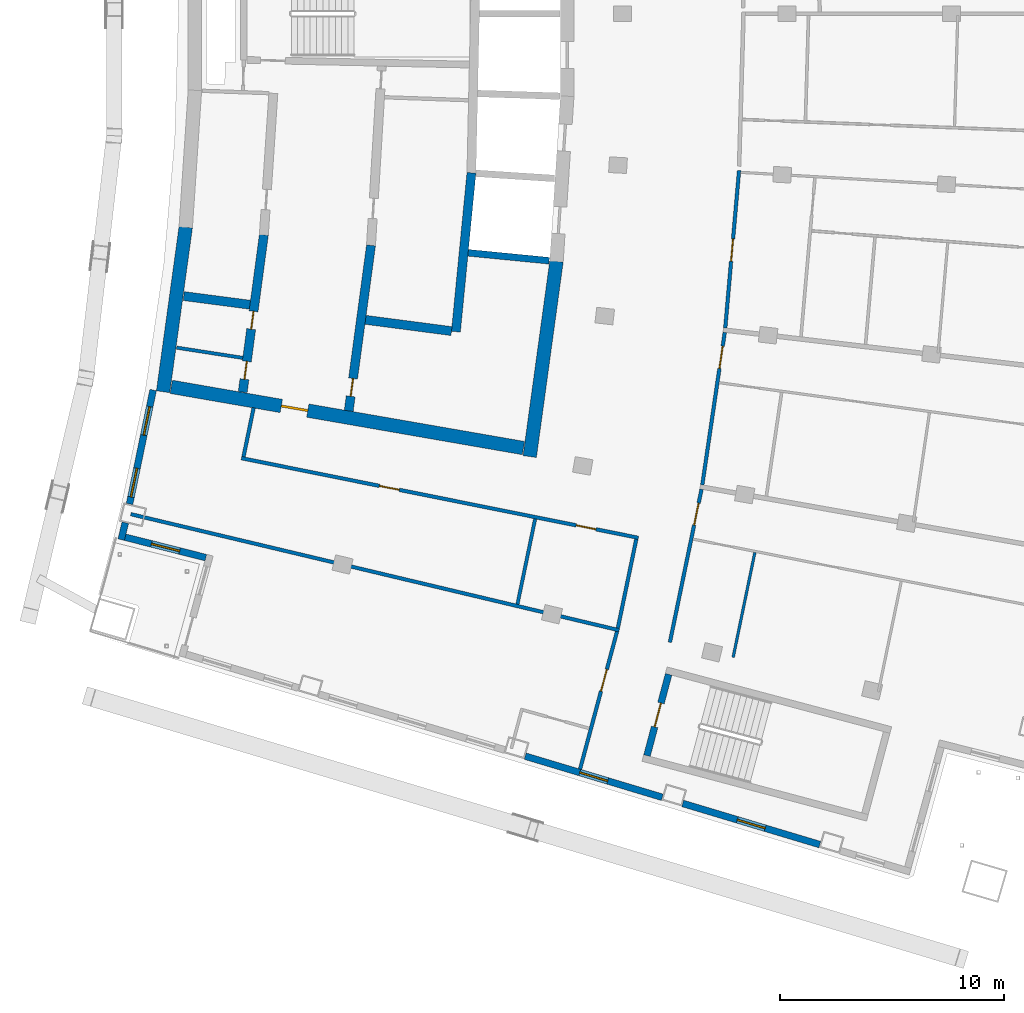
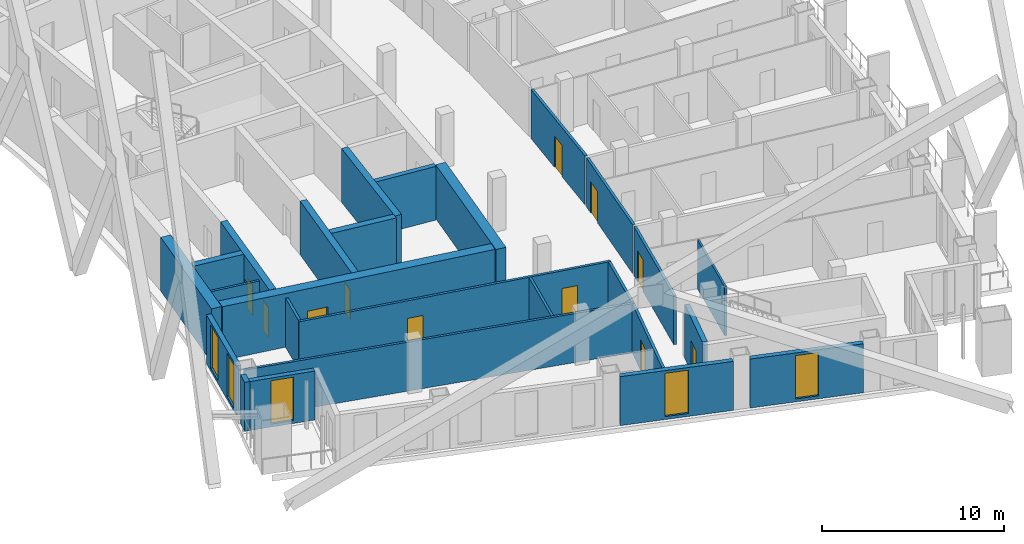
# One storey, part 10 of 20: 26 walls, 11 doors, 5 windows, 16 openings.
"""IFC4 building model written with IfcOpenShell, lengths in metres."""

from ifc_helpers import new_model, si_unit, direction, frame, frame_2d, origin, place, context, subcontext, project, spatial, rectangle, extrude, material, layer, layer_set, type_object, element, fill, save


model = new_model("IFC4")

# Units and contexts
model_context = context("Model", 3, precision=1e-05, world=origin(), true_north=direction((0.0, 1.0)))
body_context = subcontext(model_context, "Body", "Model", "MODEL_VIEW")
ifc_project = project(units=[si_unit("LENGTHUNIT", "METRE"), si_unit("AREAUNIT", "SQUARE_METRE"), si_unit("VOLUMEUNIT", "CUBIC_METRE"), si_unit("PLANEANGLEUNIT", "RADIAN"), si_unit("MASSUNIT", "GRAM", prefix="KILO")], contexts=[model_context])

# Site, building, storey
site_placement = place(None, origin())
site = spatial("IfcSite", under=ifc_project, at=site_placement, CompositionType="ELEMENT")
building_placement = place(site_placement, origin())
building = spatial("IfcBuilding", under=site, at=building_placement, Name="Alderwake Tower", CompositionType="ELEMENT")
storey_placement = place(building_placement, frame((0.0, 0.0, 210.800048828125)))
storey = spatial("IfcBuildingStorey", under=building, at=storey_placement, Name="L52", CompositionType="ELEMENT", Elevation=210.800048828125)

# Walls
ifc_material_1 = material(Name="Gypsum shaft wall system, rated")
ifc_layer_1 = layer(ifc_material_1, 0.14990234375)
ifc_layer_set_1 = layer_set([ifc_layer_1], Name="Core room partition 150")
wall_type_1 = type_object("IfcWallType", Name="Core room partition 150", PredefinedType="PARTITIONING", material=ifc_layer_set_1)
wall_1_placement = place(storey_placement, frame((15.92529296875, 46.11328125, 0.0), z_axis=(0.0, 0.0, 1.0), x_axis=(0.988179886452, -0.153298767153, 0.0)))
element("IfcWall", 1, at=wall_1_placement, inside=storey, type_object=wall_type_1, Name="CW/L52/PR-161_+0", PredefinedType="PARTITIONING", context=body_context, shape_type="SweptSolid", body=[
    extrude(rectangle(XDim=2.984375, YDim=0.14990234375, at=frame_2d((1.4921875, 0.0))), origin(), (0.0, 0.0, 1.0), 3.280029296875),
])
ifc_material_2 = material(Name="Concrete C70/85", Category="concrete")
ifc_layer_2 = layer(ifc_material_2, 0.60009765625)
ifc_layer_set_2 = layer_set([ifc_layer_2], Name="Core wall outer 600 C70-85")
wall_type_2 = type_object("IfcWallType", Name="Core wall outer 600 C70-85", PredefinedType="SHEAR", material=ifc_layer_set_2)
wall_2_placement = place(storey_placement, frame((15.321533203125, 44.146240234375, 0.0), z_axis=(0.0, 0.0, 1.0), x_axis=(0.136316498814, 0.990665338119, 0.0)))
element("IfcWall", 2, at=wall_2_placement, inside=storey, type_object=wall_type_2, Name="Core wall CW.037", PredefinedType="SHEAR", context=body_context, shape_type="SweptSolid", body=[
    extrude(rectangle(XDim=7.41455078125, YDim=0.60009765625, at=frame_2d((3.707275390625, 0.0))), origin(), (0.0, 0.0, 1.0), 3.599853515625),
])
wall_3_placement = place(storey_placement, frame((31.66796875, 41.256103515625, 0.0), z_axis=(0.0, 0.0, 1.0), x_axis=(0.135856583698, 0.990728514108, 0.0)))
element("IfcWall", 3, at=wall_3_placement, inside=storey, type_object=wall_type_2, Name="Core wall CW.017", PredefinedType="SHEAR", context=body_context, shape_type="SweptSolid", body=[
    extrude(rectangle(XDim=8.79296875, YDim=0.60009765625, at=frame_2d((4.396484375, 0.0))), origin(), (0.0, 0.0, 1.0), 3.599853515625),
])

# Wall, opening, door
wall_4_placement = place(storey_placement, frame((31.386962890625, 41.63525390625, 0.0), z_axis=(0.0, 0.0, 1.0), x_axis=(-0.985223108003, 0.171275881127, 0.0)))
wall_4 = element("IfcWall", 4, at=wall_4_placement, inside=storey, type_object=wall_type_2, Name="Core wall CW.072", PredefinedType="SHEAR", context=body_context, shape_type="SweptSolid", body=[
    extrude(rectangle(XDim=15.937744140625, YDim=0.60009765625, at=frame_2d((7.96875, 0.0))), origin(), (0.0, 0.0, 1.0), 3.599853515625),
])
opening_1_placement = place(wall_4_placement, frame((9.757568359375, 0.0, 0.0)))
opening_1 = element("IfcOpeningElement", 5, at=opening_1_placement, cuts=wall_4, Name="Opening C003", PredefinedType="OPENING", context=body_context, shape_type="SweptSolid", body=[
    extrude(rectangle(XDim=1.199951171875, YDim=2.10009765625, at=frame_2d((0.60009765625, 1.050048828125))), frame((0.0, 0.31005859375, 0.0), z_axis=(0.0, -1.0, 0.0), x_axis=(1.0, 0.0, 0.0)), (0.0, 0.0, 1.0), 0.6201171875),
])
ifc_material_3 = material(Name="Steel-framed fire door leaf", Category="steel")
door_type_1 = type_object("IfcDoorType", Name="Core lobby exit door 1200 fire-rated", OperationType="SINGLE_SWING_LEFT", PredefinedType="DOOR", material=ifc_material_3)
door_1_placement = place(opening_1_placement, origin())
door_1 = element("IfcDoor", 6, at=door_1_placement, inside=storey, type_object=door_type_1, Name="Lobby door", OperationType="SINGLE_SWING_LEFT", OverallHeight=2.10009765625, OverallWidth=1.199951171875, PredefinedType="DOOR", context=body_context, shape_type="SweptSolid", body=[
    extrude(rectangle(XDim=1.199951171875, YDim=2.10009765625, at=frame_2d((0.60009765625, 1.050048828125))), frame((0.0, 0.050048828125, 0.0), z_axis=(0.0, -1.0, 0.0), x_axis=(1.0, 0.0, 0.0)), (0.0, 0.0, 1.0), 0.10009765625),
])
fill(opening_1, door_1)

# Wall
ifc_material_4 = material(Name="Concrete C70/85", Category="concrete")
ifc_layer_3 = layer(ifc_material_4, 0.300048828125)
ifc_layer_set_3 = layer_set([ifc_layer_3], Name="Core wall shaft 300 C70-85")
wall_type_3 = type_object("IfcWallType", Name="Core wall shaft 300 C70-85", PredefinedType="SHEAR", material=ifc_layer_set_3)
wall_5_placement = place(storey_placement, frame((28.922119140625, 50.341796875, 0.0), z_axis=(0.0, 0.0, 1.0), x_axis=(0.995246193762, -0.097391035529, 0.0)))
element("IfcWall", 7, at=wall_5_placement, inside=storey, type_object=wall_type_3, Name="Core wall CW.064", PredefinedType="SHEAR", context=body_context, shape_type="SweptSolid", body=[
    extrude(rectangle(XDim=3.62744140625, YDim=0.300048828125, at=frame_2d((1.813720703125, 0.0))), origin(), (0.0, 0.0, 1.0), 3.599853515625),
])

# Wall, openings, doors
ifc_material_5 = material(Name="Concrete C70/85", Category="concrete")
ifc_layer_4 = layer(ifc_material_5, 0.39990234375)
ifc_layer_set_4 = layer_set([ifc_layer_4], Name="Core wall spine 400 C70-85")
wall_type_4 = type_object("IfcWallType", Name="Core wall spine 400 C70-85", PredefinedType="SHEAR", material=ifc_layer_set_4)
wall_6_placement = place(storey_placement, frame((19.814697265625, 51.143798828125, 0.0), z_axis=(0.0, 0.0, 1.0), x_axis=(-0.133333838703, -0.991071181831, 0.0)))
wall_6 = element("IfcWall", 8, at=wall_6_placement, inside=storey, type_object=wall_type_4, Name="Core wall CW.033", PredefinedType="SHEAR", context=body_context, shape_type="SweptSolid", body=[
    extrude(rectangle(XDim=7.078857421875, YDim=0.39990234375, at=frame_2d((3.53955078125, 0.0))), origin(), (0.0, 0.0, 1.0), 3.599853515625),
])
opening_2_placement = place(wall_6_placement, frame((5.69677734375, 0.0, 0.0)))
opening_2 = element("IfcOpeningElement", 9, at=opening_2_placement, cuts=wall_6, Name="Opening C009", PredefinedType="OPENING", context=body_context, shape_type="SweptSolid", body=[
    extrude(rectangle(XDim=0.800048828125, YDim=2.0, at=frame_2d((0.39990234375, 1.0))), frame((0.0, 0.2099609375, 0.0), z_axis=(0.0, -1.0, 0.0), x_axis=(1.0, 0.0, 0.0)), (0.0, 0.0, 1.0), 0.419921875),
])
opening_3_placement = place(wall_6_placement, frame((3.443115234375, 0.0, 0.0)))
opening_3 = element("IfcOpeningElement", 10, at=opening_3_placement, cuts=wall_6, Name="Opening C010", PredefinedType="OPENING", context=body_context, shape_type="SweptSolid", body=[
    extrude(rectangle(XDim=0.800048828125, YDim=2.0, at=frame_2d((0.39990234375, 1.0))), frame((0.0, 0.2099609375, 0.0), z_axis=(0.0, -1.0, 0.0), x_axis=(1.0, 0.0, 0.0)), (0.0, 0.0, 1.0), 0.419921875),
])
ifc_material_6 = material(Name="Painted steel leaf, rated", Category="steel")
door_type_2 = type_object("IfcDoorType", Name="Riser access door 800", OperationType="SINGLE_SWING_LEFT", PredefinedType="DOOR", material=ifc_material_6)
door_2_placement = place(opening_2_placement, origin())
door_2 = element("IfcDoor", 11, at=door_2_placement, inside=storey, type_object=door_type_2, Name="Riser access door", OperationType="SINGLE_SWING_LEFT", OverallHeight=2.0, OverallWidth=0.800048828125, PredefinedType="DOOR", context=body_context, shape_type="SweptSolid", body=[
    extrude(rectangle(XDim=0.800048828125, YDim=2.0, at=frame_2d((0.39990234375, 1.0))), frame((0.0, 0.02490234375, 0.0), z_axis=(0.0, -1.0, 0.0), x_axis=(1.0, 0.0, 0.0)), (0.0, 0.0, 1.0), 0.050048828125),
])
fill(opening_2, door_2)
door_3_placement = place(opening_3_placement, origin())
door_3 = element("IfcDoor", 12, at=door_3_placement, inside=storey, type_object=door_type_2, Name="Riser access door", OperationType="SINGLE_SWING_RIGHT", OverallHeight=2.0, OverallWidth=0.800048828125, PredefinedType="DOOR", context=body_context, shape_type="SweptSolid", body=[
    extrude(rectangle(XDim=0.800048828125, YDim=2.0, at=frame_2d((0.39990234375, 1.0))), frame((0.0, 0.02490234375, 0.0), z_axis=(0.0, -1.0, 0.0), x_axis=(1.0, 0.0, 0.0)), (0.0, 0.0, 1.0), 0.050048828125),
])
fill(opening_3, door_3)

# Wall, opening, door
wall_7_placement = place(storey_placement, frame((23.597412109375, 43.29248046875, 0.0), z_axis=(0.0, 0.0, 1.0), x_axis=(0.133499326361, 0.99104890387, 0.0)))
wall_7 = element("IfcWall", 13, at=wall_7_placement, inside=storey, type_object=wall_type_4, Name="Core wall CW.047", PredefinedType="SHEAR", context=body_context, shape_type="SweptSolid", body=[
    extrude(rectangle(XDim=7.44677734375, YDim=0.39990234375, at=frame_2d((3.723388671875, 0.0))), origin(), (0.0, 0.0, 1.0), 3.599853515625),
])
opening_4_placement = place(wall_7_placement, frame((0.65771484375, 0.0, 0.0)))
opening_4 = element("IfcOpeningElement", 14, at=opening_4_placement, cuts=wall_7, Name="Opening C013", PredefinedType="OPENING", context=body_context, shape_type="SweptSolid", body=[
    extrude(rectangle(XDim=0.800048828125, YDim=2.0, at=frame_2d((0.39990234375, 1.0))), frame((0.0, 0.2099609375, 0.0), z_axis=(0.0, -1.0, 0.0), x_axis=(1.0, 0.0, 0.0)), (0.0, 0.0, 1.0), 0.419921875),
])
door_4_placement = place(opening_4_placement, origin())
door_4 = element("IfcDoor", 15, at=door_4_placement, inside=storey, type_object=door_type_2, Name="Riser access door", OperationType="SINGLE_SWING_LEFT", OverallHeight=2.0, OverallWidth=0.800048828125, PredefinedType="DOOR", context=body_context, shape_type="SweptSolid", body=[
    extrude(rectangle(XDim=0.800048828125, YDim=2.0, at=frame_2d((0.39990234375, 1.0))), frame((0.0, 0.02490234375, 0.0), z_axis=(0.0, -1.0, 0.0), x_axis=(1.0, 0.0, 0.0)), (0.0, 0.0, 1.0), 0.050048828125),
])
fill(opening_4, door_4)

# Walls
wall_8_placement = place(storey_placement, frame((28.376953125, 46.8251953125, 0.0), z_axis=(0.0, 0.0, 1.0), x_axis=(0.097393469943, 0.995245955537, 0.0)))
element("IfcWall", 16, at=wall_8_placement, inside=storey, type_object=wall_type_4, Name="Core wall CW.005", PredefinedType="SHEAR", context=body_context, shape_type="SweptSolid", body=[
    extrude(rectangle(XDim=7.1142578125, YDim=0.39990234375, at=frame_2d((3.55712890625, 0.0))), origin(), (0.0, 0.0, 1.0), 3.599853515625),
])
wall_9_placement = place(storey_placement, frame((16.24169921875, 48.412353515625, 0.0), z_axis=(0.0, 0.0, 1.0), x_axis=(0.991548658387, -0.129735338481, 0.0)))
element("IfcWall", 17, at=wall_9_placement, inside=storey, type_object=wall_type_4, Name="Core wall CW.067", PredefinedType="SHEAR", context=body_context, shape_type="SweptSolid", body=[
    extrude(rectangle(XDim=2.97705078125, YDim=0.39990234375, at=frame_2d((1.488525390625, 0.0))), origin(), (0.0, 0.0, 1.0), 3.599853515625),
])
wall_10_placement = place(storey_placement, frame((24.34619140625, 47.352294921875, 0.0), z_axis=(0.0, 0.0, 1.0), x_axis=(0.991555264158, -0.129684841519, 0.0)))
element("IfcWall", 18, at=wall_10_placement, inside=storey, type_object=wall_type_4, Name="Core wall CW.069", PredefinedType="SHEAR", context=body_context, shape_type="SweptSolid", body=[
    extrude(rectangle(XDim=3.864990234375, YDim=0.39990234375, at=frame_2d((1.9326171875, 0.0))), origin(), (0.0, 0.0, 1.0), 3.599853515625),
])

# Wall, opening, door
ifc_material_7 = material(Name="Concrete C70/85", Category="concrete")
ifc_layer_5 = layer(ifc_material_7, 0.300048828125)
ifc_layer_set_5 = layer_set([ifc_layer_5], Name="Core wall stair enclosure 300 C70-85")
wall_type_5 = type_object("IfcWallType", Name="Core wall stair enclosure 300 C70-85", PredefinedType="SHEAR", material=ifc_layer_set_5)
wall_11_placement = place(storey_placement, frame((36.89501953125, 27.923828125, 0.0), z_axis=(0.0, 0.0, 1.0), x_axis=(0.257350630826, 0.966318090907, 0.0)))
wall_11 = element("IfcWall", 19, at=wall_11_placement, inside=storey, type_object=wall_type_5, Name="Core wall CW.087", PredefinedType="SHEAR", context=body_context, shape_type="SweptSolid", body=[
    extrude(rectangle(XDim=3.75, YDim=0.300048828125, at=frame_2d((1.875, 0.0))), origin(), (0.0, 0.0, 1.0), 3.599853515625),
])
opening_5_placement = place(wall_11_placement, frame((1.324951171875, 0.0, 0.0)))
opening_5 = element("IfcOpeningElement", 20, at=opening_5_placement, cuts=wall_11, Name="Opening C065", PredefinedType="OPENING", context=body_context, shape_type="SweptSolid", body=[
    extrude(rectangle(XDim=1.10009765625, YDim=2.10009765625, at=frame_2d((0.550048828125, 1.050048828125))), frame((0.0, 0.159912109375, 0.0), z_axis=(0.0, -1.0, 0.0), x_axis=(1.0, 0.0, 0.0)), (0.0, 0.0, 1.0), 0.320068359375),
])
ifc_material_8 = material(Name="Steel-framed fire door leaf", Category="steel")
door_type_3 = type_object("IfcDoorType", Name="Core stair door 1100 fire-rated", OperationType="SINGLE_SWING_LEFT", PredefinedType="DOOR", material=ifc_material_8)
door_5_placement = place(opening_5_placement, origin())
door_5 = element("IfcDoor", 21, at=door_5_placement, inside=storey, type_object=door_type_3, Name="Stair door", OperationType="SINGLE_SWING_LEFT", OverallHeight=2.10009765625, OverallWidth=1.10009765625, PredefinedType="DOOR", context=body_context, shape_type="SweptSolid", body=[
    extrude(rectangle(XDim=1.10009765625, YDim=2.10009765625, at=frame_2d((0.550048828125, 1.050048828125))), frame((0.0, 0.02490234375, 0.0), z_axis=(0.0, -1.0, 0.0), x_axis=(1.0, 0.0, 0.0)), (0.0, 0.0, 1.0), 0.050048828125),
])
fill(opening_5, door_5)

# Wall
ifc_material_9 = material(Name="Gypsum board on metal studs, rated")
ifc_layer_6 = layer(ifc_material_9, 0.159912109375)
ifc_layer_set_6 = layer_set([ifc_layer_6], Name="Corridor wall 160")
wall_type_6 = type_object("IfcWallType", Name="Corridor wall 160", PredefinedType="PARTITIONING", material=ifc_layer_set_6)
wall_12_placement = place(storey_placement, frame((13.884033203125, 38.68798828125, 0.0), z_axis=(0.0, 0.0, 1.0), x_axis=(0.972893462073, -0.231253781493, 0.0)))
element("IfcWall", 22, at=wall_12_placement, inside=storey, type_object=wall_type_6, Name="WL/L52/W08", PredefinedType="PARTITIONING", context=body_context, shape_type="SweptSolid", body=[
    extrude(rectangle(XDim=22.38037109375, YDim=0.159912109375, at=frame_2d((11.190185546875, 0.0))), origin(), (0.0, 0.0, 1.0), 3.280029296875),
])

# Wall, openings, doors
wall_13_placement = place(storey_placement, frame((36.513427734375, 37.63427734375, 0.0), z_axis=(0.0, 0.0, 1.0), x_axis=(-0.980470254867, 0.1966674333, 0.0)))
wall_13 = element("IfcWall", 23, at=wall_13_placement, inside=storey, type_object=wall_type_6, Name="WL/L52/W10", PredefinedType="PARTITIONING", context=body_context, shape_type="SweptSolid", body=[
    extrude(rectangle(XDim=18.053466796875, YDim=0.159912109375, at=frame_2d((9.02685546875, 0.0))), origin(), (0.0, 0.0, 1.0), 3.280029296875),
])
opening_6_placement = place(wall_13_placement, frame((10.876708984375, 0.0, 0.0)))
opening_6 = element("IfcOpeningElement", 24, at=opening_6_placement, cuts=wall_13, Name="Opening R15-SBS1", PredefinedType="OPENING", context=body_context, shape_type="SweptSolid", body=[
    extrude(rectangle(XDim=0.89990234375, YDim=2.10009765625, at=frame_2d((0.449951171875, 1.050048828125))), frame((0.0, 0.08984375, 0.0), z_axis=(0.0, -1.0, 0.0), x_axis=(1.0, 0.0, 0.0)), (0.0, 0.0, 1.0), 0.179931640625),
])
opening_7_placement = place(wall_13_placement, frame((1.9306640625, 0.0, 0.0)))
opening_7 = element("IfcOpeningElement", 25, at=opening_7_placement, cuts=wall_13, Name="Opening R15-SBS2", PredefinedType="OPENING", context=body_context, shape_type="SweptSolid", body=[
    extrude(rectangle(XDim=0.89990234375, YDim=2.10009765625, at=frame_2d((0.449951171875, 1.050048828125))), frame((0.0, 0.08984375, 0.0), z_axis=(0.0, -1.0, 0.0), x_axis=(1.0, 0.0, 0.0)), (0.0, 0.0, 1.0), 0.179931640625),
])
ifc_material_10 = material(Name="Painted timber leaf", Category="wood")
door_type_4 = type_object("IfcDoorType", Name="Room door 900", OperationType="SINGLE_SWING_LEFT", PredefinedType="DOOR", material=ifc_material_10)
door_6_placement = place(opening_6_placement, origin())
door_6 = element("IfcDoor", 26, at=door_6_placement, inside=storey, type_object=door_type_4, Name="DR/L52/SBS1", OperationType="SINGLE_SWING_LEFT", OverallHeight=2.10009765625, OverallWidth=0.89990234375, PredefinedType="DOOR", context=body_context, shape_type="SweptSolid", body=[
    extrude(rectangle(XDim=0.89990234375, YDim=2.10009765625, at=frame_2d((0.449951171875, 1.050048828125))), frame((0.0, 0.02490234375, 0.0), z_axis=(0.0, -1.0, 0.0), x_axis=(1.0, 0.0, 0.0)), (0.0, 0.0, 1.0), 0.050048828125),
])
fill(opening_6, door_6)
door_7_placement = place(opening_7_placement, origin())
door_7 = element("IfcDoor", 27, at=door_7_placement, inside=storey, type_object=door_type_4, Name="DR/L52/SBS2", OperationType="SINGLE_SWING_LEFT", OverallHeight=2.10009765625, OverallWidth=0.89990234375, PredefinedType="DOOR", context=body_context, shape_type="SweptSolid", body=[
    extrude(rectangle(XDim=0.89990234375, YDim=2.10009765625, at=frame_2d((0.449951171875, 1.050048828125))), frame((0.0, 0.02490234375, 0.0), z_axis=(0.0, -1.0, 0.0), x_axis=(1.0, 0.0, 0.0)), (0.0, 0.0, 1.0), 0.050048828125),
])
fill(opening_7, door_7)

# Wall
wall_14_placement = place(storey_placement, frame((19.35888671875, 43.430908203125, 0.0), z_axis=(0.0, 0.0, 1.0), x_axis=(-0.202554916658, -0.979270905183, 0.0)))
element("IfcWall", 28, at=wall_14_placement, inside=storey, type_object=wall_type_6, Name="WL/L52/W11", PredefinedType="PARTITIONING", context=body_context, shape_type="SweptSolid", body=[
    extrude(rectangle(XDim=2.229736328125, YDim=0.159912109375, at=frame_2d((1.11474609375, 0.0))), origin(), (0.0, 0.0, 1.0), 3.280029296875),
])

# Wall, opening, door
wall_15_placement = place(storey_placement, frame((33.912109375, 27.321044921875, 0.0), z_axis=(0.0, 0.0, 1.0), x_axis=(0.259370874835, 0.965777794986, 0.0)))
wall_15 = element("IfcWall", 29, at=wall_15_placement, inside=storey, type_object=wall_type_6, Name="WL/L52/W14", PredefinedType="PARTITIONING", context=body_context, shape_type="SweptSolid", body=[
    extrude(rectangle(XDim=6.349853515625, YDim=0.159912109375, at=frame_2d((3.1748046875, 0.0))), origin(), (0.0, 0.0, 1.0), 3.280029296875),
])
opening_8_placement = place(wall_15_placement, frame((3.603515625, 0.0, 0.0)))
opening_8 = element("IfcOpeningElement", 30, at=opening_8_placement, cuts=wall_15, Name="Opening R15-U08.1", PredefinedType="OPENING", context=body_context, shape_type="SweptSolid", body=[
    extrude(rectangle(XDim=1.0, YDim=2.10009765625, at=frame_2d((0.5, 1.050048828125))), frame((0.0, 0.08984375, 0.0), z_axis=(0.0, -1.0, 0.0), x_axis=(1.0, 0.0, 0.0)), (0.0, 0.0, 1.0), 0.179931640625),
])
ifc_material_11 = material(Name="Solid timber leaf in steel frame", Category="steel")
door_type_5 = type_object("IfcDoorType", Name="Flat entrance door 1000 fire-rated", OperationType="SINGLE_SWING_LEFT", PredefinedType="DOOR", material=ifc_material_11)
door_8_placement = place(opening_8_placement, origin())
door_8 = element("IfcDoor", 31, at=door_8_placement, inside=storey, type_object=door_type_5, Name="DR/L52/U08.1", OperationType="SINGLE_SWING_LEFT", OverallHeight=2.10009765625, OverallWidth=1.0, PredefinedType="DOOR", context=body_context, shape_type="SweptSolid", body=[
    extrude(rectangle(XDim=1.0, YDim=2.10009765625, at=frame_2d((0.5, 1.050048828125))), frame((0.0, 0.02490234375, 0.0), z_axis=(0.0, -1.0, 0.0), x_axis=(1.0, 0.0, 0.0)), (0.0, 0.0, 1.0), 0.050048828125),
])
fill(opening_8, door_8)

# Wall
wall_16_placement = place(storey_placement, frame((36.418701171875, 37.57177734375, 0.0), z_axis=(0.0, 0.0, 1.0), x_axis=(-0.203245920818, -0.979127721838, 0.0)))
element("IfcWall", 32, at=wall_16_placement, inside=storey, type_object=wall_type_6, Name="WL/L52/W16", PredefinedType="PARTITIONING", context=body_context, shape_type="SweptSolid", body=[
    extrude(rectangle(XDim=4.046875, YDim=0.159912109375, at=frame_2d((2.0234375, 0.0))), origin(), (0.0, 0.0, 1.0), 3.280029296875),
])

# Wall, opening, door
wall_17_placement = place(storey_placement, frame((39.32763671875, 39.799072265625, 0.0), z_axis=(0.0, 0.0, 1.0), x_axis=(-0.202466556983, -0.979289177569, 0.0)))
wall_17 = element("IfcWall", 33, at=wall_17_placement, inside=storey, type_object=wall_type_6, Name="WL/L52/W18", PredefinedType="PARTITIONING", context=body_context, shape_type="SweptSolid", body=[
    extrude(rectangle(XDim=6.96728515625, YDim=0.159912109375, at=frame_2d((3.483642578125, 0.0))), origin(), (0.0, 0.0, 1.0), 3.280029296875),
])
opening_9_placement = place(wall_17_placement, frame((0.62744140625, 0.0, 0.0)))
opening_9 = element("IfcOpeningElement", 34, at=opening_9_placement, cuts=wall_17, Name="Opening R15-U03.2", PredefinedType="OPENING", context=body_context, shape_type="SweptSolid", body=[
    extrude(rectangle(XDim=1.0, YDim=2.10009765625, at=frame_2d((0.5, 1.050048828125))), frame((0.0, 0.08984375, 0.0), z_axis=(0.0, -1.0, 0.0), x_axis=(1.0, 0.0, 0.0)), (0.0, 0.0, 1.0), 0.179931640625),
])
door_9_placement = place(opening_9_placement, origin())
door_9 = element("IfcDoor", 35, at=door_9_placement, inside=storey, type_object=door_type_5, Name="DR/L52/U03.2", OperationType="SINGLE_SWING_LEFT", OverallHeight=2.10009765625, OverallWidth=1.0, PredefinedType="DOOR", context=body_context, shape_type="SweptSolid", body=[
    extrude(rectangle(XDim=1.0, YDim=2.10009765625, at=frame_2d((0.5, 1.050048828125))), frame((0.0, 0.02490234375, 0.0), z_axis=(0.0, -1.0, 0.0), x_axis=(1.0, 0.0, 0.0)), (0.0, 0.0, 1.0), 0.050048828125),
])
fill(opening_9, door_9)

wall_18_placement = place(storey_placement, frame((40.3623046875, 46.7939453125, 0.0), z_axis=(0.0, 0.0, 1.0), x_axis=(-0.1455042199, -0.989357630987, 0.0)))
wall_18 = element("IfcWall", 36, at=wall_18_placement, inside=storey, type_object=wall_type_6, Name="WL/L52/W19", PredefinedType="PARTITIONING", context=body_context, shape_type="SweptSolid", body=[
    extrude(rectangle(XDim=6.87109375, YDim=0.159912109375, at=frame_2d((3.435546875, 0.0))), origin(), (0.0, 0.0, 1.0), 3.280029296875),
])
opening_10_placement = place(wall_18_placement, frame((0.628662109375, 0.0, 0.0)))
opening_10 = element("IfcOpeningElement", 37, at=opening_10_placement, cuts=wall_18, Name="Opening R15-U04.2", PredefinedType="OPENING", context=body_context, shape_type="SweptSolid", body=[
    extrude(rectangle(XDim=1.0, YDim=2.10009765625, at=frame_2d((0.5, 1.050048828125))), frame((0.0, 0.08984375, 0.0), z_axis=(0.0, -1.0, 0.0), x_axis=(1.0, 0.0, 0.0)), (0.0, 0.0, 1.0), 0.179931640625),
])
door_10_placement = place(opening_10_placement, origin())
door_10 = element("IfcDoor", 38, at=door_10_placement, inside=storey, type_object=door_type_5, Name="DR/L52/U04.2", OperationType="SINGLE_SWING_LEFT", OverallHeight=2.10009765625, OverallWidth=1.0, PredefinedType="DOOR", context=body_context, shape_type="SweptSolid", body=[
    extrude(rectangle(XDim=1.0, YDim=2.10009765625, at=frame_2d((0.5, 1.050048828125))), frame((0.0, 0.02490234375, 0.0), z_axis=(0.0, -1.0, 0.0), x_axis=(1.0, 0.0, 0.0)), (0.0, 0.0, 1.0), 0.050048828125),
])
fill(opening_10, door_10)

wall_19_placement = place(storey_placement, frame((41.001953125, 54.013671875, 0.0), z_axis=(0.0, 0.0, 1.0), x_axis=(-0.087430787456, -0.996170596537, 0.0)))
wall_19 = element("IfcWall", 39, at=wall_19_placement, inside=storey, type_object=wall_type_6, Name="WL/L52/W21", PredefinedType="PARTITIONING", context=body_context, shape_type="SweptSolid", body=[
    extrude(rectangle(XDim=7.048095703125, YDim=0.159912109375, at=frame_2d((3.52392578125, 0.0))), origin(), (0.0, 0.0, 1.0), 3.280029296875),
])
opening_11_placement = place(wall_19_placement, frame((3.064208984375, 0.0, 0.0)))
opening_11 = element("IfcOpeningElement", 40, at=opening_11_placement, cuts=wall_19, Name="Opening R15-U05.2", PredefinedType="OPENING", context=body_context, shape_type="SweptSolid", body=[
    extrude(rectangle(XDim=1.0, YDim=2.10009765625, at=frame_2d((0.5, 1.050048828125))), frame((0.0, 0.08984375, 0.0), z_axis=(0.0, -1.0, 0.0), x_axis=(1.0, 0.0, 0.0)), (0.0, 0.0, 1.0), 0.179931640625),
])
door_11_placement = place(opening_11_placement, origin())
door_11 = element("IfcDoor", 41, at=door_11_placement, inside=storey, type_object=door_type_5, Name="DR/L52/U05.2", OperationType="SINGLE_SWING_LEFT", OverallHeight=2.10009765625, OverallWidth=1.0, PredefinedType="DOOR", context=body_context, shape_type="SweptSolid", body=[
    extrude(rectangle(XDim=1.0, YDim=2.10009765625, at=frame_2d((0.5, 1.050048828125))), frame((0.0, 0.02490234375, 0.0), z_axis=(0.0, -1.0, 0.0), x_axis=(1.0, 0.0, 0.0)), (0.0, 0.0, 1.0), 0.050048828125),
])
fill(opening_11, door_11)

# Wall
ifc_material_12 = material(Name="Precast concrete C50/60 spandrel panel", Category="concrete")
ifc_layer_7 = layer(ifc_material_12, 0.300048828125)
ifc_layer_set_7 = layer_set([ifc_layer_7], Name="External wall EW1 Precast concrete C50/60 spandrel")
wall_type_7 = type_object("IfcWallType", Name="External wall EW1 Precast concrete C50/60 spandrel", PredefinedType="SOLIDWALL", material=ifc_layer_set_7)
wall_20_placement = place(storey_placement, frame((13.63720703125, 38.30712890625, 0.0), z_axis=(0.0, 0.0, 1.0), x_axis=(-0.23817684901, -0.971221801957, 0.0)))
element("IfcWall", 42, at=wall_20_placement, inside=storey, type_object=wall_type_7, Name="External wall 1", PredefinedType="SOLIDWALL", context=body_context, shape_type="SweptSolid", body=[
    extrude(rectangle(XDim=0.778076171875, YDim=0.300048828125, at=frame_2d((0.38916015625, 0.0))), origin(), (0.0, 0.0, 1.0), 3.280029296875),
])

# Wall, openings, windows
wall_21_placement = place(storey_placement, frame((14.878173828125, 44.223388671875, 0.0), z_axis=(0.0, 0.0, 1.0), x_axis=(-0.202730149235, -0.979234643276, 0.0)))
wall_21 = element("IfcWall", 43, at=wall_21_placement, inside=storey, type_object=wall_type_7, Name="External wall 32", PredefinedType="SOLIDWALL", context=body_context, shape_type="SweptSolid", body=[
    extrude(rectangle(XDim=5.185546875, YDim=0.300048828125, at=frame_2d((2.5927734375, 0.0))), origin(), (0.0, 0.0, 1.0), 3.280029296875),
])
opening_12_placement = place(wall_21_placement, frame((0.75634765625, 0.0, 0.199951171875)))
opening_12 = element("IfcOpeningElement", 44, at=opening_12_placement, cuts=wall_21, Name="Opening W1", PredefinedType="OPENING", context=body_context, shape_type="SweptSolid", body=[
    extrude(rectangle(XDim=1.300048828125, YDim=2.89990234375, at=frame_2d((0.64990234375, 1.449951171875))), frame((0.0, 0.159912109375, 0.0), z_axis=(0.0, -1.0, 0.0), x_axis=(1.0, 0.0, 0.0)), (0.0, 0.0, 1.0), 0.320068359375),
])
opening_13_placement = place(wall_21_placement, frame((3.569091796875, 0.0, 0.199951171875)))
opening_13 = element("IfcOpeningElement", 45, at=opening_13_placement, cuts=wall_21, Name="Opening W1", PredefinedType="OPENING", context=body_context, shape_type="SweptSolid", body=[
    extrude(rectangle(XDim=1.300048828125, YDim=2.89990234375, at=frame_2d((0.64990234375, 1.449951171875))), frame((0.0, 0.159912109375, 0.0), z_axis=(0.0, -1.0, 0.0), x_axis=(1.0, 0.0, 0.0)), (0.0, 0.0, 1.0), 0.320068359375),
])
ifc_material_13 = material(Name="Bronze tinted glass in aluminium frame", Category="aluminium")
window_type = type_object("IfcWindowType", Name="Window W1 tall fixed and vent", PartitioningType="DOUBLE_PANEL_VERTICAL", PredefinedType="WINDOW", material=ifc_material_13)
window_1_placement = place(opening_12_placement, origin())
window_1 = element("IfcWindow", 46, at=window_1_placement, inside=storey, type_object=window_type, Name="Window W1 tall fixed and vent", OverallHeight=2.89990234375, OverallWidth=1.300048828125, PartitioningType="DOUBLE_PANEL_VERTICAL", PredefinedType="WINDOW", context=body_context, shape_type="SweptSolid", body=[
    extrude(rectangle(XDim=1.300048828125, YDim=2.89990234375, at=frame_2d((0.64990234375, 1.449951171875))), frame((0.0, 0.030029296875, 0.0), z_axis=(0.0, -1.0, 0.0), x_axis=(1.0, 0.0, 0.0)), (0.0, 0.0, 1.0), 0.06005859375),
])
fill(opening_12, window_1)
window_2_placement = place(opening_13_placement, origin())
window_2 = element("IfcWindow", 47, at=window_2_placement, inside=storey, type_object=window_type, Name="Window W1 tall fixed and vent", OverallHeight=2.89990234375, OverallWidth=1.300048828125, PartitioningType="DOUBLE_PANEL_VERTICAL", PredefinedType="WINDOW", context=body_context, shape_type="SweptSolid", body=[
    extrude(rectangle(XDim=1.300048828125, YDim=2.89990234375, at=frame_2d((0.64990234375, 1.449951171875))), frame((0.0, 0.030029296875, 0.0), z_axis=(0.0, -1.0, 0.0), x_axis=(1.0, 0.0, 0.0)), (0.0, 0.0, 1.0), 0.06005859375),
])
fill(opening_13, window_2)

# Wall, opening, window
ifc_material_14 = material(Name="Bronze metal cladding on lightweight framing")
ifc_layer_8 = layer(ifc_material_14, 0.300048828125)
ifc_layer_set_8 = layer_set([ifc_layer_8], Name="External wall EW2 bronze metal cladding")
wall_type_8 = type_object("IfcWallType", Name="External wall EW2 bronze metal cladding", PredefinedType="SOLIDWALL", material=ifc_layer_set_8)
wall_22_placement = place(storey_placement, frame((13.633056640625, 37.660400390625, 0.0), z_axis=(0.0, 0.0, 1.0), x_axis=(0.969417366605, -0.245417948254, 0.0)))
wall_22 = element("IfcWall", 48, at=wall_22_placement, inside=storey, type_object=wall_type_8, Name="External wall 2", PredefinedType="SOLIDWALL", context=body_context, shape_type="SweptSolid", body=[
    extrude(rectangle(XDim=3.70556640625, YDim=0.300048828125, at=frame_2d((1.852783203125, 0.0))), origin(), (0.0, 0.0, 1.0), 3.280029296875),
])
opening_14_placement = place(wall_22_placement, frame((1.202880859375, 0.0, 0.199951171875)))
opening_14 = element("IfcOpeningElement", 49, at=opening_14_placement, cuts=wall_22, Name="Opening W1", PredefinedType="OPENING", context=body_context, shape_type="SweptSolid", body=[
    extrude(rectangle(XDim=1.300048828125, YDim=2.89990234375, at=frame_2d((0.64990234375, 1.449951171875))), frame((0.0, 0.159912109375, 0.0), z_axis=(0.0, -1.0, 0.0), x_axis=(1.0, 0.0, 0.0)), (0.0, 0.0, 1.0), 0.320068359375),
])
window_3_placement = place(opening_14_placement, origin())
window_3 = element("IfcWindow", 50, at=window_3_placement, inside=storey, type_object=window_type, Name="Window W1 tall fixed and vent", OverallHeight=2.89990234375, OverallWidth=1.300048828125, PartitioningType="DOUBLE_PANEL_VERTICAL", PredefinedType="WINDOW", context=body_context, shape_type="SweptSolid", body=[
    extrude(rectangle(XDim=1.300048828125, YDim=2.89990234375, at=frame_2d((0.64990234375, 1.449951171875))), frame((0.0, 0.030029296875, 0.0), z_axis=(0.0, -1.0, 0.0), x_axis=(1.0, 0.0, 0.0)), (0.0, 0.0, 1.0), 0.06005859375),
])
fill(opening_14, window_3)

wall_23_placement = place(storey_placement, frame((31.465087890625, 27.900390625, 0.0), z_axis=(0.0, 0.0, 1.0), x_axis=(0.957767283432, -0.287544484885, 0.0)))
wall_23 = element("IfcWall", 51, at=wall_23_placement, inside=storey, type_object=wall_type_8, Name="External wall 6", PredefinedType="SOLIDWALL", context=body_context, shape_type="SweptSolid", body=[
    extrude(rectangle(XDim=6.3798828125, YDim=0.300048828125, at=frame_2d((3.18994140625, 0.0))), origin(), (0.0, 0.0, 1.0), 3.280029296875),
])
opening_15_placement = place(wall_23_placement, frame((2.539794921875, 0.0, 0.199951171875)))
opening_15 = element("IfcOpeningElement", 52, at=opening_15_placement, cuts=wall_23, Name="Opening W1", PredefinedType="OPENING", context=body_context, shape_type="SweptSolid", body=[
    extrude(rectangle(XDim=1.300048828125, YDim=2.89990234375, at=frame_2d((0.64990234375, 1.449951171875))), frame((0.0, 0.159912109375, 0.0), z_axis=(0.0, -1.0, 0.0), x_axis=(1.0, 0.0, 0.0)), (0.0, 0.0, 1.0), 0.320068359375),
])
window_4_placement = place(opening_15_placement, origin())
window_4 = element("IfcWindow", 53, at=window_4_placement, inside=storey, type_object=window_type, Name="Window W1 tall fixed and vent", OverallHeight=2.89990234375, OverallWidth=1.300048828125, PartitioningType="DOUBLE_PANEL_VERTICAL", PredefinedType="WINDOW", context=body_context, shape_type="SweptSolid", body=[
    extrude(rectangle(XDim=1.300048828125, YDim=2.89990234375, at=frame_2d((0.64990234375, 1.449951171875))), frame((0.0, 0.030029296875, 0.0), z_axis=(0.0, -1.0, 0.0), x_axis=(1.0, 0.0, 0.0)), (0.0, 0.0, 1.0), 0.06005859375),
])
fill(opening_15, window_4)

wall_24_placement = place(storey_placement, frame((38.48876953125, 25.791748046875, 0.0), z_axis=(0.0, 0.0, 1.0), x_axis=(0.957770447312, -0.287533946266, 0.0)))
wall_24 = element("IfcWall", 54, at=wall_24_placement, inside=storey, type_object=wall_type_8, Name="External wall 7", PredefinedType="SOLIDWALL", context=body_context, shape_type="SweptSolid", body=[
    extrude(rectangle(XDim=6.380126953125, YDim=0.300048828125, at=frame_2d((3.18994140625, 0.0))), origin(), (0.0, 0.0, 1.0), 3.280029296875),
])
opening_16_placement = place(wall_24_placement, frame((2.539794921875, 0.0, 0.199951171875)))
opening_16 = element("IfcOpeningElement", 55, at=opening_16_placement, cuts=wall_24, Name="Opening W1", PredefinedType="OPENING", context=body_context, shape_type="SweptSolid", body=[
    extrude(rectangle(XDim=1.300048828125, YDim=2.89990234375, at=frame_2d((0.64990234375, 1.449951171875))), frame((0.0, 0.159912109375, 0.0), z_axis=(0.0, -1.0, 0.0), x_axis=(1.0, 0.0, 0.0)), (0.0, 0.0, 1.0), 0.320068359375),
])
window_5_placement = place(opening_16_placement, origin())
window_5 = element("IfcWindow", 56, at=window_5_placement, inside=storey, type_object=window_type, Name="Window W1 tall fixed and vent", OverallHeight=2.89990234375, OverallWidth=1.300048828125, PartitioningType="DOUBLE_PANEL_VERTICAL", PredefinedType="WINDOW", context=body_context, shape_type="SweptSolid", body=[
    extrude(rectangle(XDim=1.300048828125, YDim=2.89990234375, at=frame_2d((0.64990234375, 1.449951171875))), frame((0.0, 0.030029296875, 0.0), z_axis=(0.0, -1.0, 0.0), x_axis=(1.0, 0.0, 0.0)), (0.0, 0.0, 1.0), 0.06005859375),
])
fill(opening_16, window_5)

# Walls
ifc_material_15 = material(Name="Gypsum shaft wall system, rated")
ifc_layer_9 = layer(ifc_material_15, 0.14990234375)
ifc_layer_set_9 = layer_set([ifc_layer_9], Name="Riser and shaft wall 150")
wall_type_9 = type_object("IfcWallType", Name="Riser and shaft wall 150", PredefinedType="PARTITIONING", material=ifc_layer_set_9)
wall_25_placement = place(storey_placement, frame((31.120361328125, 34.67138671875, 0.0), z_axis=(0.0, 0.0, 1.0), x_axis=(0.203103989328, 0.979157173042, 0.0)))
element("IfcWall", 57, at=wall_25_placement, inside=storey, type_object=wall_type_9, Name="WL/L52/W04", PredefinedType="PARTITIONING", context=body_context, shape_type="SweptSolid", body=[
    extrude(rectangle(XDim=3.887451171875, YDim=0.14990234375, at=frame_2d((1.94384765625, 0.0))), origin(), (0.0, 0.0, 1.0), 3.280029296875),
])
ifc_material_16 = material(Name="Moisture resistant gypsum board on metal studs")
ifc_layer_10 = layer(ifc_material_16, 0.1201171875)
ifc_layer_set_10 = layer_set([ifc_layer_10], Name="Wet room partition 120")
wall_type_10 = type_object("IfcWallType", Name="Wet room partition 120", PredefinedType="PARTITIONING", material=ifc_layer_set_10)
wall_26_placement = place(storey_placement, frame((40.737060546875, 32.303955078125, 0.0), z_axis=(0.0, 0.0, 1.0), x_axis=(0.202548156077, 0.979272303535, 0.0)))
element("IfcWall", 58, at=wall_26_placement, inside=storey, type_object=wall_type_10, Name="WL/L52/W32", PredefinedType="PARTITIONING", context=body_context, shape_type="SweptSolid", body=[
    extrude(rectangle(XDim=4.778076171875, YDim=0.1201171875, at=frame_2d((2.38916015625, 0.0))), origin(), (0.0, 0.0, 1.0), 3.280029296875),
])

save(model, "model.ifc")
